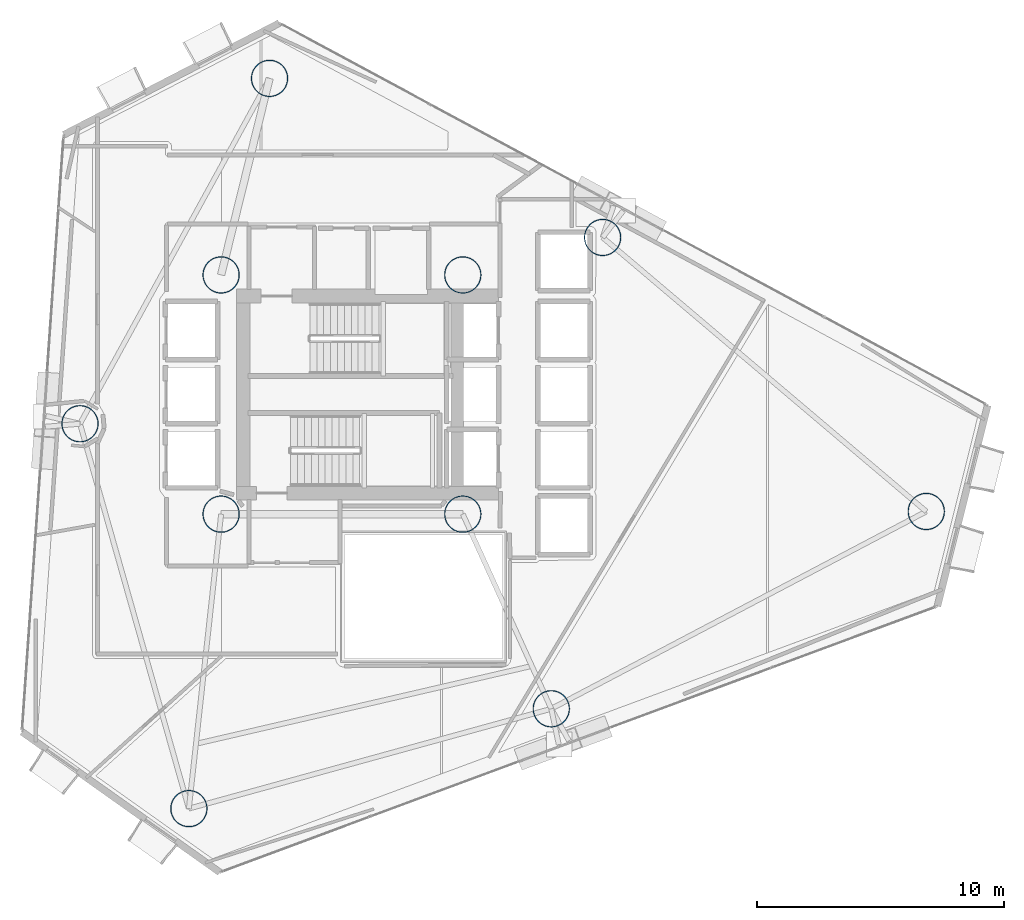
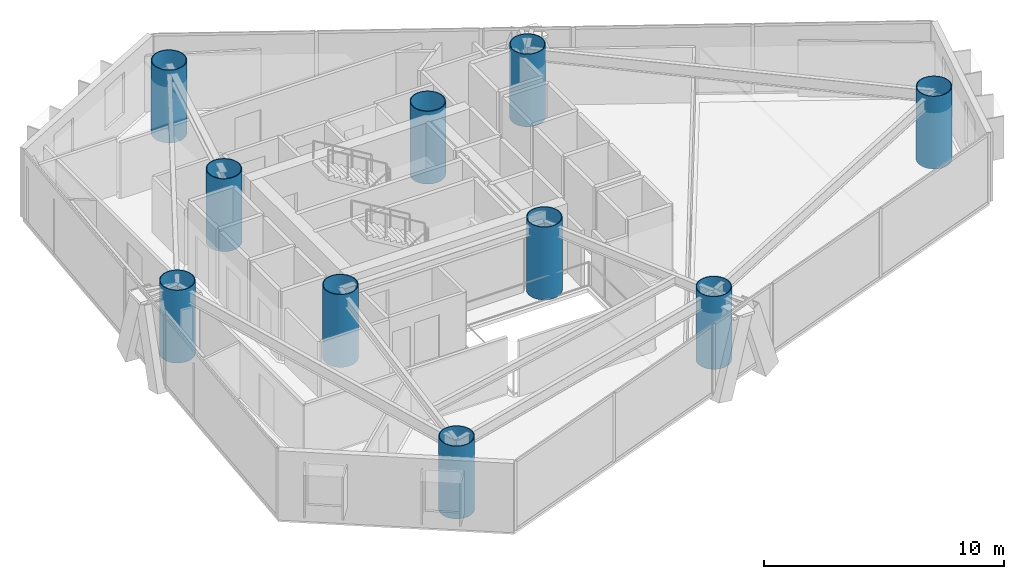
# One storey, part 1 of 21: 10 columns.
"""IFC4 building model written with IfcOpenShell, lengths in metres."""

from ifc_helpers import new_model, si_unit, direction, frame, origin, origin_2d, place, context, subcontext, project, spatial, hollow_circle, extrude, material, material_profile, profile_set, type_object, element, save


model = new_model("IFC4")

# Units and contexts
model_context = context("Model", 3, precision=1e-05, world=origin(), true_north=direction((0.0, 1.0)))
body_context = subcontext(model_context, "Body", "Model", "MODEL_VIEW")
ifc_project = project(units=[si_unit("LENGTHUNIT", "METRE"), si_unit("AREAUNIT", "SQUARE_METRE"), si_unit("VOLUMEUNIT", "CUBIC_METRE"), si_unit("PLANEANGLEUNIT", "RADIAN"), si_unit("MASSUNIT", "GRAM", prefix="KILO")], contexts=[model_context])

# Site, building, storey
site_placement = place(None, origin())
site = spatial("IfcSite", under=ifc_project, at=site_placement, CompositionType="ELEMENT")
building_placement = place(site_placement, origin())
building = spatial("IfcBuilding", under=site, at=building_placement, Name="Qianvela Tower", CompositionType="ELEMENT")
storey_placement = place(building_placement, frame((0.0, 0.0, 127.39990234375)))
storey = spatial("IfcBuildingStorey", under=building, at=storey_placement, Name="L32", CompositionType="ELEMENT", Elevation=127.39990234375)

# Columns
ifc_material = material(Name="Steel Q420GJC", Category="steel")
ifc_material_profile = material_profile(ifc_material, hollow_circle(Radius=0.75, WallThickness=0.035888671875, at=origin_2d()), Name="CFT-1500x36")
ifc_profile_set = profile_set([ifc_material_profile], Name="Steel Q420GJC")
column_type = type_object("IfcColumnType", Name="COL-CFT-1500x36", PredefinedType="COLUMN", material=ifc_profile_set)
for number, where, z_axis, x_axis, name in (
    (1, (28.60009765625, 33.550048828125, 0.0), (0.0, 0.0, 1.0), (1.0, 0.0, 0.0), "L32 Core Corner Mega-Column CC-NW"),
    (2, (28.60009765625, 23.85009765625, 0.0), (0.0, 0.0, 1.0), (1.0, 0.0, 0.0), "L32 Core Corner Mega-Column CC-SW"),
    (3, (38.39990234375, 33.550048828125, 0.0), (0.0, 0.0, 1.0), (1.0, 0.0, 0.0), "L32 Core Corner Mega-Column CC-NE"),
    (4, (38.39990234375, 23.85009765625, 0.0), (0.0, 0.0, 1.0), (1.0, 0.0, 0.0), "L32 Core Corner Mega-Column CC-SE"),
    (5, (57.194091796875, 23.9580078125, 0.0), (0.0, 0.0, 1.0), (1.0, 0.0, 0.0), "L32 Zone Z3 CFT Mega-Column C1"),
    (6, (44.071044921875, 35.070068359375, 0.0), (0.0, 0.0, 1.0), (1.0, 0.0, 0.0), "L32 Zone Z3 CFT Mega-Column C2"),
    (7, (30.56396484375, 41.52099609375, 0.0), (0.0, 0.0, 1.0), (1.0, 0.0, 0.0), "L32 Zone Z3 CFT Mega-Column C3"),
    (8, (22.8779296875, 27.51611328125, 0.0), (0.0, 0.0, 1.0), (1.0, 0.0, 0.0), "L32 Zone Z3 CFT Mega-Column C4"),
    (9, (27.2919921875, 11.908935546875, 0.0), (0.0, 0.0, 1.0), (1.0, 0.0, 0.0), "L32 Zone Z3 CFT Mega-Column C5"),
    (10, (41.988037109375, 15.95703125, 0.0), (0.0, 0.0, 1.0), (1.0, 0.0, 0.0), "L32 Zone Z3 CFT Mega-Column C6"),
):
    element("IfcColumn", number, at=place(storey_placement, frame(where, z_axis=z_axis, x_axis=x_axis)), inside=storey, type_object=column_type, Name=name, PredefinedType="COLUMN", context=body_context, shape_type="SweptSolid", body=[
        extrude(hollow_circle(Radius=0.75, WallThickness=0.035888671875, at=origin_2d()), origin(), (0.0, 0.0, 1.0), 3.7001953125),
    ])

save(model, "model.ifc")
